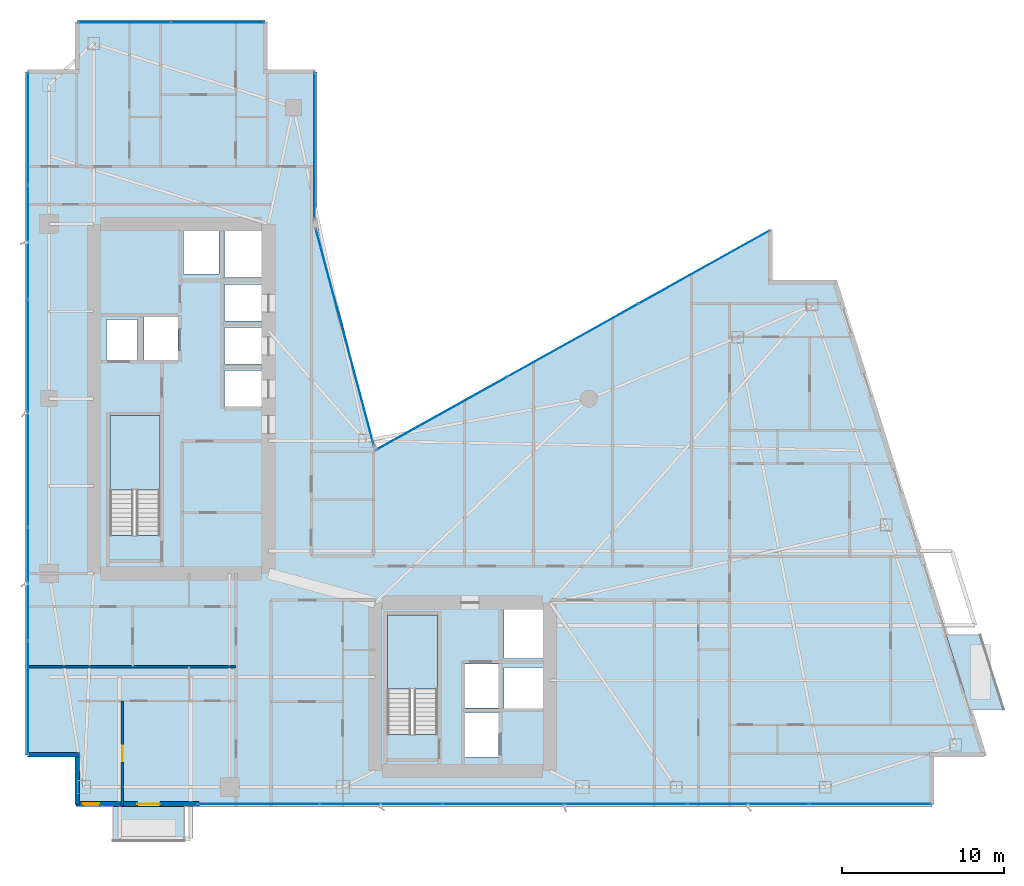
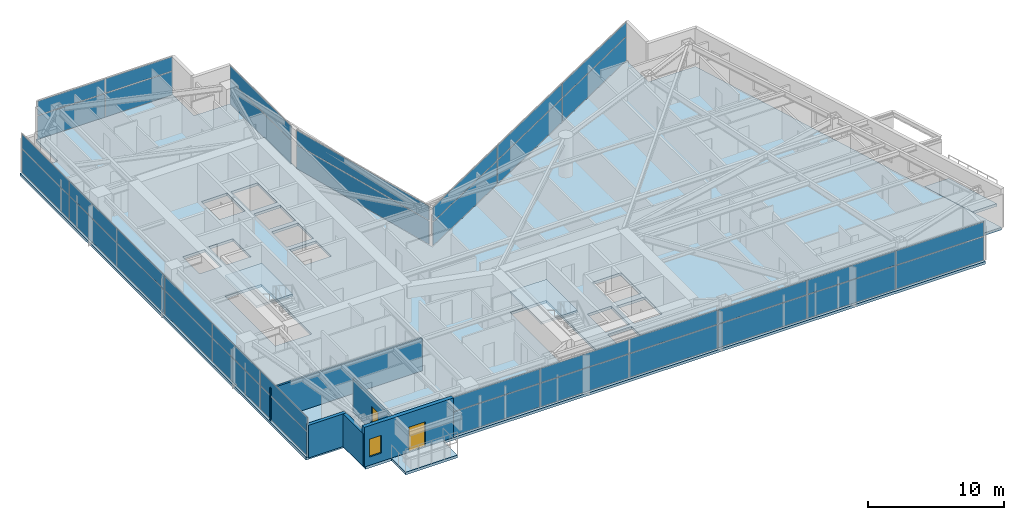
# One storey, part 21 of 29: 38 plates, 5 slabs, 5 walls, 2 doors, 1 window, 3 openings, 8 elements without a shape of their own.
"""IFC4 building model written with IfcOpenShell, lengths in metres."""

from ifc_helpers import new_model, si_unit, direction, frame, frame_2d, origin, origin_2d, place, context, subcontext, project, spatial, polyline, rectangle, outline, extrude, material, layer, layer_set, type_object, element, fill, aggregate, save


model = new_model("IFC4")

# Units and contexts
model_context = context("Model", 3, precision=1e-05, world=origin(), true_north=direction((0.0, 1.0)))
body_context = subcontext(model_context, "Body", "Model", "MODEL_VIEW")
ifc_project = project(units=[si_unit("LENGTHUNIT", "METRE"), si_unit("AREAUNIT", "SQUARE_METRE"), si_unit("VOLUMEUNIT", "CUBIC_METRE"), si_unit("PLANEANGLEUNIT", "RADIAN"), si_unit("MASSUNIT", "GRAM", prefix="KILO")], contexts=[model_context])

# Site, building, storey
site_placement = place(None, origin())
site = spatial("IfcSite", under=ifc_project, at=site_placement, CompositionType="ELEMENT")
building_placement = place(site_placement, origin())
building = spatial("IfcBuilding", under=site, at=building_placement, Name="Calvorn Quay Hotel", CompositionType="ELEMENT")
storey_placement = place(building_placement, frame((0.0, 0.0, 148.5)))
storey = spatial("IfcBuildingStorey", under=building, at=storey_placement, Name="L36", CompositionType="ELEMENT", Elevation=148.5)

# Curtain wall, plates
ifc_material_1 = material(Name="Pale Anodised Aluminium and Low-E Glass", Category="aluminium")
ifc_layer_1 = layer(ifc_material_1, 0.219970703125)
ifc_layer_set_1 = layer_set([ifc_layer_1], Name="CW-SYS-Z2")
curtain_wall_type = type_object("IfcCurtainWallType", Name="CW-SYS-Z2", PredefinedType="NOTDEFINED", material=ifc_layer_set_1)
curtain_wall_1_placement = place(storey_placement, origin())
curtain_wall_1 = element("IfcCurtainWall", 1, at=curtain_wall_1_placement, inside=storey, type_object=curtain_wall_type, Name="Tower West Curtain Wall (L36)", PredefinedType="NOTDEFINED")
ifc_material_2 = material(Name="Low-E Laminated Double Glazing", Category="glass")
ifc_layer_2 = layer(ifc_material_2, 0.028076171875)
ifc_layer_set_2 = layer_set([ifc_layer_2], Name="CW-SYS-Z2-PAN")
plate_type = type_object("IfcPlateType", Name="CW-SYS-Z2-PAN", PredefinedType="CURTAIN_PANEL", material=ifc_layer_set_2)
plate_1_placement = place(storey_placement, frame((0.14990234375, 9.131591796875, 0.06005859375), z_axis=(0.0, 0.0, 1.0), x_axis=(0.0, 1.0, 0.0)))
plate_1 = element("IfcPlate", 2, at=plate_1_placement, type_object=plate_type, Name="CW-L36-W panel 1.1", PredefinedType="CURTAIN_PANEL", context=body_context, shape_type="SweptSolid", body=[
    extrude(rectangle(XDim=6.943359375, YDim=0.028076171875, at=origin_2d()), origin(), (0.0, 0.0, 1.0), 2.110107421875),
])
plate_2_placement = place(storey_placement, frame((0.14990234375, 9.131591796875, 2.22998046875), z_axis=(0.0, 0.0, 1.0), x_axis=(0.0, 1.0, 0.0)))
plate_2 = element("IfcPlate", 3, at=plate_2_placement, type_object=plate_type, Name="CW-L36-W panel 1.2", PredefinedType="CURTAIN_PANEL", context=body_context, shape_type="SweptSolid", body=[
    extrude(rectangle(XDim=6.943359375, YDim=0.028076171875, at=origin_2d()), origin(), (0.0, 0.0, 1.0), 1.27001953125),
])
plate_3_placement = place(storey_placement, frame((0.14990234375, 16.14990234375, 0.06005859375), z_axis=(0.0, 0.0, 1.0), x_axis=(0.0, 1.0, 0.0)))
plate_3 = element("IfcPlate", 4, at=plate_3_placement, type_object=plate_type, Name="CW-L36-W panel 2.1", PredefinedType="CURTAIN_PANEL", context=body_context, shape_type="SweptSolid", body=[
    extrude(rectangle(XDim=6.973388671875, YDim=0.028076171875, at=origin_2d()), origin(), (0.0, 0.0, 1.0), 2.110107421875),
])
plate_4_placement = place(storey_placement, frame((0.14990234375, 16.14990234375, 2.22998046875), z_axis=(0.0, 0.0, 1.0), x_axis=(0.0, 1.0, 0.0)))
plate_4 = element("IfcPlate", 5, at=plate_4_placement, type_object=plate_type, Name="CW-L36-W panel 2.2", PredefinedType="CURTAIN_PANEL", context=body_context, shape_type="SweptSolid", body=[
    extrude(rectangle(XDim=6.973388671875, YDim=0.028076171875, at=origin_2d()), origin(), (0.0, 0.0, 1.0), 1.27001953125),
])
plate_5_placement = place(storey_placement, frame((0.14990234375, 23.183349609375, 0.06005859375), z_axis=(0.0, 0.0, 1.0), x_axis=(0.0, 1.0, 0.0)))
plate_5 = element("IfcPlate", 6, at=plate_5_placement, type_object=plate_type, Name="CW-L36-W panel 3.1", PredefinedType="CURTAIN_PANEL", context=body_context, shape_type="SweptSolid", body=[
    extrude(rectangle(XDim=6.973388671875, YDim=0.028076171875, at=origin_2d()), origin(), (0.0, 0.0, 1.0), 2.110107421875),
])
plate_6_placement = place(storey_placement, frame((0.14990234375, 23.183349609375, 2.22998046875), z_axis=(0.0, 0.0, 1.0), x_axis=(0.0, 1.0, 0.0)))
plate_6 = element("IfcPlate", 7, at=plate_6_placement, type_object=plate_type, Name="CW-L36-W panel 3.2", PredefinedType="CURTAIN_PANEL", context=body_context, shape_type="SweptSolid", body=[
    extrude(rectangle(XDim=6.973388671875, YDim=0.028076171875, at=origin_2d()), origin(), (0.0, 0.0, 1.0), 1.27001953125),
])
plate_7_placement = place(storey_placement, frame((0.14990234375, 30.216552734375, 0.06005859375), z_axis=(0.0, 0.0, 1.0), x_axis=(0.0, 1.0, 0.0)))
plate_7 = element("IfcPlate", 8, at=plate_7_placement, type_object=plate_type, Name="CW-L36-W panel 4.1", PredefinedType="CURTAIN_PANEL", context=body_context, shape_type="SweptSolid", body=[
    extrude(rectangle(XDim=6.973388671875, YDim=0.028076171875, at=origin_2d()), origin(), (0.0, 0.0, 1.0), 2.110107421875),
])
plate_8_placement = place(storey_placement, frame((0.14990234375, 30.216552734375, 2.22998046875), z_axis=(0.0, 0.0, 1.0), x_axis=(0.0, 1.0, 0.0)))
plate_8 = element("IfcPlate", 9, at=plate_8_placement, type_object=plate_type, Name="CW-L36-W panel 4.2", PredefinedType="CURTAIN_PANEL", context=body_context, shape_type="SweptSolid", body=[
    extrude(rectangle(XDim=6.973388671875, YDim=0.028076171875, at=origin_2d()), origin(), (0.0, 0.0, 1.0), 1.27001953125),
])
plate_9_placement = place(storey_placement, frame((0.14990234375, 37.25, 0.06005859375), z_axis=(0.0, 0.0, 1.0), x_axis=(0.0, 1.0, 0.0)))
plate_9 = element("IfcPlate", 10, at=plate_9_placement, type_object=plate_type, Name="CW-L36-W panel 5.1", PredefinedType="CURTAIN_PANEL", context=body_context, shape_type="SweptSolid", body=[
    extrude(rectangle(XDim=6.973388671875, YDim=0.028076171875, at=origin_2d()), origin(), (0.0, 0.0, 1.0), 2.110107421875),
])
plate_10_placement = place(storey_placement, frame((0.14990234375, 37.25, 2.22998046875), z_axis=(0.0, 0.0, 1.0), x_axis=(0.0, 1.0, 0.0)))
plate_10 = element("IfcPlate", 11, at=plate_10_placement, type_object=plate_type, Name="CW-L36-W panel 5.2", PredefinedType="CURTAIN_PANEL", context=body_context, shape_type="SweptSolid", body=[
    extrude(rectangle(XDim=6.973388671875, YDim=0.028076171875, at=origin_2d()), origin(), (0.0, 0.0, 1.0), 1.27001953125),
])
plate_11_placement = place(storey_placement, frame((0.14990234375, 44.268310546875, 0.06005859375), z_axis=(0.0, 0.0, 1.0), x_axis=(0.0, 1.0, 0.0)))
plate_11 = element("IfcPlate", 12, at=plate_11_placement, type_object=plate_type, Name="CW-L36-W panel 6.1", PredefinedType="CURTAIN_PANEL", context=body_context, shape_type="SweptSolid", body=[
    extrude(rectangle(XDim=6.943359375, YDim=0.028076171875, at=origin_2d()), origin(), (0.0, 0.0, 1.0), 2.110107421875),
])
plate_12_placement = place(storey_placement, frame((0.14990234375, 44.268310546875, 2.22998046875), z_axis=(0.0, 0.0, 1.0), x_axis=(0.0, 1.0, 0.0)))
plate_12 = element("IfcPlate", 13, at=plate_12_placement, type_object=plate_type, Name="CW-L36-W panel 6.2", PredefinedType="CURTAIN_PANEL", context=body_context, shape_type="SweptSolid", body=[
    extrude(rectangle(XDim=6.943359375, YDim=0.028076171875, at=origin_2d()), origin(), (0.0, 0.0, 1.0), 1.27001953125),
])
aggregate(curtain_wall_1, [plate_1, plate_2, plate_3, plate_4, plate_5, plate_6, plate_7, plate_8, plate_9, plate_10, plate_11, plate_12])

curtain_wall_2_placement = place(storey_placement, origin())
curtain_wall_2 = element("IfcCurtainWall", 14, at=curtain_wall_2_placement, inside=storey, type_object=curtain_wall_type, Name="Tower South Waterfront Curtain Wall (L36)", PredefinedType="NOTDEFINED")
plate_13_placement = place(storey_placement, frame((14.3984375, 2.550048828125, 0.06005859375), z_axis=(0.0, 0.0, 1.0), x_axis=(1.0, 0.0, 0.0)))
plate_13 = element("IfcPlate", 15, at=plate_13_placement, type_object=plate_type, Name="CW-L36-S panel 1.1", PredefinedType="CURTAIN_PANEL", context=body_context, shape_type="SweptSolid", body=[
    extrude(rectangle(XDim=7.4765625, YDim=0.028076171875, at=origin_2d()), origin(), (0.0, 0.0, 1.0), 2.110107421875),
])
plate_14_placement = place(storey_placement, frame((14.3984375, 2.550048828125, 2.22998046875), z_axis=(0.0, 0.0, 1.0), x_axis=(1.0, 0.0, 0.0)))
plate_14 = element("IfcPlate", 16, at=plate_14_placement, type_object=plate_type, Name="CW-L36-S panel 1.2", PredefinedType="CURTAIN_PANEL", context=body_context, shape_type="SweptSolid", body=[
    extrude(rectangle(XDim=7.4765625, YDim=0.028076171875, at=origin_2d()), origin(), (0.0, 0.0, 1.0), 1.27001953125),
])
plate_15_placement = place(storey_placement, frame((21.949951171875, 2.550048828125, 0.06005859375), z_axis=(0.0, 0.0, 1.0), x_axis=(1.0, 0.0, 0.0)))
plate_15 = element("IfcPlate", 17, at=plate_15_placement, type_object=plate_type, Name="CW-L36-S panel 2.1", PredefinedType="CURTAIN_PANEL", context=body_context, shape_type="SweptSolid", body=[
    extrude(rectangle(XDim=7.506591796875, YDim=0.028076171875, at=origin_2d()), origin(), (0.0, 0.0, 1.0), 2.110107421875),
])
plate_16_placement = place(storey_placement, frame((21.949951171875, 2.550048828125, 2.22998046875), z_axis=(0.0, 0.0, 1.0), x_axis=(1.0, 0.0, 0.0)))
plate_16 = element("IfcPlate", 18, at=plate_16_placement, type_object=plate_type, Name="CW-L36-S panel 2.2", PredefinedType="CURTAIN_PANEL", context=body_context, shape_type="SweptSolid", body=[
    extrude(rectangle(XDim=7.506591796875, YDim=0.028076171875, at=origin_2d()), origin(), (0.0, 0.0, 1.0), 1.27001953125),
])
plate_17_placement = place(storey_placement, frame((29.5166015625, 2.550048828125, 0.06005859375), z_axis=(0.0, 0.0, 1.0), x_axis=(1.0, 0.0, 0.0)))
plate_17 = element("IfcPlate", 19, at=plate_17_placement, type_object=plate_type, Name="CW-L36-S panel 3.1", PredefinedType="CURTAIN_PANEL", context=body_context, shape_type="SweptSolid", body=[
    extrude(rectangle(XDim=7.506591796875, YDim=0.028076171875, at=origin_2d()), origin(), (0.0, 0.0, 1.0), 2.110107421875),
])
plate_18_placement = place(storey_placement, frame((29.5166015625, 2.550048828125, 2.22998046875), z_axis=(0.0, 0.0, 1.0), x_axis=(1.0, 0.0, 0.0)))
plate_18 = element("IfcPlate", 20, at=plate_18_placement, type_object=plate_type, Name="CW-L36-S panel 3.2", PredefinedType="CURTAIN_PANEL", context=body_context, shape_type="SweptSolid", body=[
    extrude(rectangle(XDim=7.506591796875, YDim=0.028076171875, at=origin_2d()), origin(), (0.0, 0.0, 1.0), 1.27001953125),
])
plate_19_placement = place(storey_placement, frame((37.083251953125, 2.550048828125, 0.06005859375), z_axis=(0.0, 0.0, 1.0), x_axis=(1.0, 0.0, 0.0)))
plate_19 = element("IfcPlate", 21, at=plate_19_placement, type_object=plate_type, Name="CW-L36-S panel 4.1", PredefinedType="CURTAIN_PANEL", context=body_context, shape_type="SweptSolid", body=[
    extrude(rectangle(XDim=7.506591796875, YDim=0.028076171875, at=origin_2d()), origin(), (0.0, 0.0, 1.0), 2.110107421875),
])
plate_20_placement = place(storey_placement, frame((37.083251953125, 2.550048828125, 2.22998046875), z_axis=(0.0, 0.0, 1.0), x_axis=(1.0, 0.0, 0.0)))
plate_20 = element("IfcPlate", 22, at=plate_20_placement, type_object=plate_type, Name="CW-L36-S panel 4.2", PredefinedType="CURTAIN_PANEL", context=body_context, shape_type="SweptSolid", body=[
    extrude(rectangle(XDim=7.506591796875, YDim=0.028076171875, at=origin_2d()), origin(), (0.0, 0.0, 1.0), 1.27001953125),
])
plate_21_placement = place(storey_placement, frame((44.64990234375, 2.550048828125, 0.06005859375), z_axis=(0.0, 0.0, 1.0), x_axis=(1.0, 0.0, 0.0)))
plate_21 = element("IfcPlate", 23, at=plate_21_placement, type_object=plate_type, Name="CW-L36-S panel 5.1", PredefinedType="CURTAIN_PANEL", context=body_context, shape_type="SweptSolid", body=[
    extrude(rectangle(XDim=7.506591796875, YDim=0.028076171875, at=origin_2d()), origin(), (0.0, 0.0, 1.0), 2.110107421875),
])
plate_22_placement = place(storey_placement, frame((44.64990234375, 2.550048828125, 2.22998046875), z_axis=(0.0, 0.0, 1.0), x_axis=(1.0, 0.0, 0.0)))
plate_22 = element("IfcPlate", 24, at=plate_22_placement, type_object=plate_type, Name="CW-L36-S panel 5.2", PredefinedType="CURTAIN_PANEL", context=body_context, shape_type="SweptSolid", body=[
    extrude(rectangle(XDim=7.506591796875, YDim=0.028076171875, at=origin_2d()), origin(), (0.0, 0.0, 1.0), 1.27001953125),
])
plate_23_placement = place(storey_placement, frame((52.20166015625, 2.550048828125, 0.06005859375), z_axis=(0.0, 0.0, 1.0), x_axis=(1.0, 0.0, 0.0)))
plate_23 = element("IfcPlate", 25, at=plate_23_placement, type_object=plate_type, Name="CW-L36-S panel 6.1", PredefinedType="CURTAIN_PANEL", context=body_context, shape_type="SweptSolid", body=[
    extrude(rectangle(XDim=7.4765625, YDim=0.028076171875, at=origin_2d()), origin(), (0.0, 0.0, 1.0), 2.110107421875),
])
plate_24_placement = place(storey_placement, frame((52.20166015625, 2.550048828125, 2.22998046875), z_axis=(0.0, 0.0, 1.0), x_axis=(1.0, 0.0, 0.0)))
plate_24 = element("IfcPlate", 26, at=plate_24_placement, type_object=plate_type, Name="CW-L36-S panel 6.2", PredefinedType="CURTAIN_PANEL", context=body_context, shape_type="SweptSolid", body=[
    extrude(rectangle(XDim=7.4765625, YDim=0.028076171875, at=origin_2d()), origin(), (0.0, 0.0, 1.0), 1.27001953125),
])
aggregate(curtain_wall_2, [plate_13, plate_14, plate_15, plate_16, plate_17, plate_18, plate_19, plate_20, plate_21, plate_22, plate_23, plate_24])

curtain_wall_3_placement = place(storey_placement, origin())
curtain_wall_3 = element("IfcCurtainWall", 27, at=curtain_wall_3_placement, inside=storey, type_object=curtain_wall_type, Name="Inner Court Curtain Wall L36-NE1", PredefinedType="NOTDEFINED")
plate_25_placement = place(storey_placement, frame((41.920166015625, 35.72607421875, 0.06005859375), z_axis=(0.0, 0.0, 1.0), x_axis=(-0.873480989116, -0.486858256224, 0.0)))
plate_25 = element("IfcPlate", 28, at=plate_25_placement, type_object=plate_type, Name="CW-L36-NE1 panel 1.1", PredefinedType="CURTAIN_PANEL", context=body_context, shape_type="SweptSolid", body=[
    extrude(rectangle(XDim=9.221435546875, YDim=0.028076171875, at=origin_2d()), origin(), (0.0, 0.0, 1.0), 2.110107421875),
])
plate_26_placement = place(storey_placement, frame((41.920166015625, 35.72607421875, 2.22998046875), z_axis=(0.0, 0.0, 1.0), x_axis=(-0.873480989116, -0.486858256224, 0.0)))
plate_26 = element("IfcPlate", 29, at=plate_26_placement, type_object=plate_type, Name="CW-L36-NE1 panel 1.2", PredefinedType="CURTAIN_PANEL", context=body_context, shape_type="SweptSolid", body=[
    extrude(rectangle(XDim=9.221435546875, YDim=0.028076171875, at=origin_2d()), origin(), (0.0, 0.0, 1.0), 1.27001953125),
])
plate_27_placement = place(storey_placement, frame((33.800048828125, 31.199951171875, 0.06005859375), z_axis=(0.0, 0.0, 1.0), x_axis=(-0.873480989116, -0.486858256224, 0.0)))
plate_27 = element("IfcPlate", 30, at=plate_27_placement, type_object=plate_type, Name="CW-L36-NE1 panel 2.1", PredefinedType="CURTAIN_PANEL", context=body_context, shape_type="SweptSolid", body=[
    extrude(rectangle(XDim=9.25146484375, YDim=0.028076171875, at=origin_2d()), origin(), (0.0, 0.0, 1.0), 2.110107421875),
])
plate_28_placement = place(storey_placement, frame((33.800048828125, 31.199951171875, 2.22998046875), z_axis=(0.0, 0.0, 1.0), x_axis=(-0.873480989116, -0.486858256224, 0.0)))
plate_28 = element("IfcPlate", 31, at=plate_28_placement, type_object=plate_type, Name="CW-L36-NE1 panel 2.2", PredefinedType="CURTAIN_PANEL", context=body_context, shape_type="SweptSolid", body=[
    extrude(rectangle(XDim=9.25146484375, YDim=0.028076171875, at=origin_2d()), origin(), (0.0, 0.0, 1.0), 1.27001953125),
])
plate_29_placement = place(storey_placement, frame((25.6796875, 26.674072265625, 0.06005859375), z_axis=(0.0, 0.0, 1.0), x_axis=(-0.873480989116, -0.486858256224, 0.0)))
plate_29 = element("IfcPlate", 32, at=plate_29_placement, type_object=plate_type, Name="CW-L36-NE1 panel 3.1", PredefinedType="CURTAIN_PANEL", context=body_context, shape_type="SweptSolid", body=[
    extrude(rectangle(XDim=9.221435546875, YDim=0.028076171875, at=origin_2d()), origin(), (0.0, 0.0, 1.0), 2.110107421875),
])
plate_30_placement = place(storey_placement, frame((25.6796875, 26.674072265625, 2.22998046875), z_axis=(0.0, 0.0, 1.0), x_axis=(-0.873480989116, -0.486858256224, 0.0)))
plate_30 = element("IfcPlate", 33, at=plate_30_placement, type_object=plate_type, Name="CW-L36-NE1 panel 3.2", PredefinedType="CURTAIN_PANEL", context=body_context, shape_type="SweptSolid", body=[
    extrude(rectangle(XDim=9.221435546875, YDim=0.028076171875, at=origin_2d()), origin(), (0.0, 0.0, 1.0), 1.27001953125),
])
aggregate(curtain_wall_3, [plate_25, plate_26, plate_27, plate_28, plate_29, plate_30])

curtain_wall_4_placement = place(storey_placement, origin())
curtain_wall_4 = element("IfcCurtainWall", 34, at=curtain_wall_4_placement, inside=storey, type_object=curtain_wall_type, Name="Inner Court Curtain Wall L36-IC1", PredefinedType="NOTDEFINED")
plate_31_placement = place(storey_placement, frame((19.72509765625, 31.39990234375, 0.06005859375), z_axis=(0.0, 0.0, 1.0), x_axis=(-0.25877913024, 0.96593652056, 0.0)))
plate_31 = element("IfcPlate", 35, at=plate_31_placement, type_object=plate_type, Name="CW-L36-IC1 panel 1.1", PredefinedType="CURTAIN_PANEL", context=body_context, shape_type="SweptSolid", body=[
    extrude(rectangle(XDim=13.814697265625, YDim=0.028076171875, at=origin_2d()), origin(), (0.0, 0.0, 1.0), 2.110107421875),
])
plate_32_placement = place(storey_placement, frame((19.72509765625, 31.39990234375, 2.22998046875), z_axis=(0.0, 0.0, 1.0), x_axis=(-0.25877913024, 0.96593652056, 0.0)))
plate_32 = element("IfcPlate", 36, at=plate_32_placement, type_object=plate_type, Name="CW-L36-IC1 panel 1.2", PredefinedType="CURTAIN_PANEL", context=body_context, shape_type="SweptSolid", body=[
    extrude(rectangle(XDim=13.814697265625, YDim=0.028076171875, at=origin_2d()), origin(), (0.0, 0.0, 1.0), 1.27001953125),
])
aggregate(curtain_wall_4, [plate_31, plate_32])

curtain_wall_5_placement = place(storey_placement, origin())
curtain_wall_5 = element("IfcCurtainWall", 37, at=curtain_wall_5_placement, inside=storey, type_object=curtain_wall_type, Name="Inner Court Curtain Wall L36-IC2", PredefinedType="NOTDEFINED")
plate_33_placement = place(storey_placement, frame((17.85009765625, 43.239990234375, 0.06005859375), z_axis=(0.0, 0.0, 1.0), x_axis=(0.0, 1.0, 0.0)))
plate_33 = element("IfcPlate", 38, at=plate_33_placement, type_object=plate_type, Name="CW-L36-IC2 panel 1.1", PredefinedType="CURTAIN_PANEL", context=body_context, shape_type="SweptSolid", body=[
    extrude(rectangle(XDim=9.0, YDim=0.028076171875, at=origin_2d()), origin(), (0.0, 0.0, 1.0), 2.110107421875),
])
plate_34_placement = place(storey_placement, frame((17.85009765625, 43.239990234375, 2.22998046875), z_axis=(0.0, 0.0, 1.0), x_axis=(0.0, 1.0, 0.0)))
plate_34 = element("IfcPlate", 39, at=plate_34_placement, type_object=plate_type, Name="CW-L36-IC2 panel 1.2", PredefinedType="CURTAIN_PANEL", context=body_context, shape_type="SweptSolid", body=[
    extrude(rectangle(XDim=9.0, YDim=0.028076171875, at=origin_2d()), origin(), (0.0, 0.0, 1.0), 1.27001953125),
])
aggregate(curtain_wall_5, [plate_33, plate_34])

curtain_wall_6_placement = place(storey_placement, origin())
curtain_wall_6 = element("IfcCurtainWall", 40, at=curtain_wall_6_placement, inside=storey, type_object=curtain_wall_type, Name="Inner Court Curtain Wall L36-N1", PredefinedType="NOTDEFINED")
plate_35_placement = place(storey_placement, frame((11.885009765625, 50.85009765625, 0.06005859375), z_axis=(0.0, 0.0, 1.0), x_axis=(-1.0, 0.0, 0.0)))
plate_35 = element("IfcPlate", 41, at=plate_35_placement, type_object=plate_type, Name="CW-L36-N1 panel 1.1", PredefinedType="CURTAIN_PANEL", context=body_context, shape_type="SweptSolid", body=[
    extrude(rectangle(XDim=5.7099609375, YDim=0.028076171875, at=origin_2d()), origin(), (0.0, 0.0, 1.0), 2.110107421875),
])
plate_36_placement = place(storey_placement, frame((11.885009765625, 50.85009765625, 2.22998046875), z_axis=(0.0, 0.0, 1.0), x_axis=(-1.0, 0.0, 0.0)))
plate_36 = element("IfcPlate", 42, at=plate_36_placement, type_object=plate_type, Name="CW-L36-N1 panel 1.2", PredefinedType="CURTAIN_PANEL", context=body_context, shape_type="SweptSolid", body=[
    extrude(rectangle(XDim=5.7099609375, YDim=0.028076171875, at=origin_2d()), origin(), (0.0, 0.0, 1.0), 1.27001953125),
])
plate_37_placement = place(storey_placement, frame((6.114990234375, 50.85009765625, 0.06005859375), z_axis=(0.0, 0.0, 1.0), x_axis=(-1.0, 0.0, 0.0)))
plate_37 = element("IfcPlate", 43, at=plate_37_placement, type_object=plate_type, Name="CW-L36-N1 panel 2.1", PredefinedType="CURTAIN_PANEL", context=body_context, shape_type="SweptSolid", body=[
    extrude(rectangle(XDim=5.7099609375, YDim=0.028076171875, at=origin_2d()), origin(), (0.0, 0.0, 1.0), 2.110107421875),
])
plate_38_placement = place(storey_placement, frame((6.114990234375, 50.85009765625, 2.22998046875), z_axis=(0.0, 0.0, 1.0), x_axis=(-1.0, 0.0, 0.0)))
plate_38 = element("IfcPlate", 44, at=plate_38_placement, type_object=plate_type, Name="CW-L36-N1 panel 2.2", PredefinedType="CURTAIN_PANEL", context=body_context, shape_type="SweptSolid", body=[
    extrude(rectangle(XDim=5.7099609375, YDim=0.028076171875, at=origin_2d()), origin(), (0.0, 0.0, 1.0), 1.27001953125),
])
aggregate(curtain_wall_6, [plate_35, plate_36, plate_37, plate_38])

# Slabs
ifc_material_3 = material(Name="Concrete C40", Category="concrete")
ifc_layer_3 = layer(ifc_material_3, 0.239990234375)
ifc_layer_set_3 = layer_set([ifc_layer_3], Name="SLB-BALCONY-220")
slab_type_1 = type_object("IfcSlabType", Name="SLB-BALCONY-220", PredefinedType="FLOOR", material=ifc_layer_set_3)
slab_1_placement = place(storey_placement, frame((0.0, 0.0, -0.239990234375)))
element("IfcSlab", 45, at=slab_1_placement, inside=storey, type_object=slab_type_1, Name="Tree Balcony Slab L36-BALC-E", PredefinedType="FLOOR", context=body_context, shape_type="SweptSolid", body=[
    extrude(outline(polyline([(58.327880859375, 8.39990234375), (60.427978515625, 8.39990234375), (58.97802734375, 13.0), (56.8779296875, 13.0), (58.327880859375, 8.39990234375)])), origin(), (0.0, 0.0, 1.0), 0.239990234375),
])
slab_2_placement = place(storey_placement, frame((0.0, 0.0, -0.239990234375)))
element("IfcSlab", 46, at=slab_2_placement, inside=storey, type_object=slab_type_1, Name="Tree Balcony Slab L36-BALC-S", PredefinedType="FLOOR", context=body_context, shape_type="SweptSolid", body=[
    extrude(outline(polyline([(5.39990234375, 0.2900390625), (9.800048828125, 0.2900390625), (9.800048828125, 2.389892578125), (5.39990234375, 2.389892578125), (5.39990234375, 0.2900390625)])), origin(), (0.0, 0.0, 1.0), 0.239990234375),
])

# Stair, slab
ifc_material_4 = material(Name="Concrete C40", Category="concrete")
stair_type = type_object("IfcStairType", Name="STR-CORE-DOGLEG", PredefinedType="HALF_TURN_STAIR", material=ifc_material_4)
stair_1_placement = place(storey_placement, origin())
stair_1 = element("IfcStair", 47, at=stair_1_placement, inside=storey, type_object=stair_type, Name="L36 ST-W", PredefinedType="HALF_TURN_STAIR")
ifc_material_5 = material(Name="Concrete C40", Category="concrete")
ifc_layer_4 = layer(ifc_material_5, 0.199951171875)
ifc_layer_set_4 = layer_set([ifc_layer_4], Name="SLB-STAIR-LANDING-200")
slab_type_2 = type_object("IfcSlabType", Name="SLB-STAIR-LANDING-200", PredefinedType="LANDING", material=ifc_layer_set_4)
slab_3_placement = place(storey_placement, frame((0.0, 0.0, 1.699951171875)))
slab_3 = element("IfcSlab", 48, at=slab_3_placement, type_object=slab_type_2, Name="ST-W landing 1", PredefinedType="LANDING", context=body_context, shape_type="SweptSolid", body=[
    extrude(outline(polyline([(8.300048828125, 21.949951171875), (8.300048828125, 26.550048828125), (5.199951171875, 26.550048828125), (5.199951171875, 21.949951171875), (8.300048828125, 21.949951171875)])), origin(), (0.0, 0.0, 1.0), 0.199951171875),
])
aggregate(stair_1, [slab_3])

stair_2_placement = place(storey_placement, origin())
stair_2 = element("IfcStair", 49, at=stair_2_placement, inside=storey, type_object=stair_type, Name="L36 ST-E", PredefinedType="HALF_TURN_STAIR")
slab_4_placement = place(storey_placement, frame((0.0, 0.0, 1.699951171875)))
slab_4 = element("IfcSlab", 50, at=slab_4_placement, type_object=slab_type_2, Name="ST-E landing 1", PredefinedType="LANDING", context=body_context, shape_type="SweptSolid", body=[
    extrude(outline(polyline([(25.449951171875, 9.64990234375), (25.449951171875, 14.25), (22.35009765625, 14.25), (22.35009765625, 9.64990234375), (25.449951171875, 9.64990234375)])), origin(), (0.0, 0.0, 1.0), 0.199951171875),
])
aggregate(stair_2, [slab_4])

# Slab
ifc_material_6 = material(Name="Concrete C40", Category="concrete")
ifc_layer_5 = layer(ifc_material_6, 0.239990234375)
ifc_layer_set_5 = layer_set([ifc_layer_5], Name="SLB-TOWER-240")
slab_type_3 = type_object("IfcSlabType", Name="SLB-TOWER-240", PredefinedType="FLOOR", material=ifc_layer_set_5)
slab_5_placement = place(storey_placement, frame((0.0, 0.0, -0.239990234375)))
element("IfcSlab", 51, at=slab_5_placement, inside=storey, type_object=slab_type_3, Name="L36 Structural Floor Slab", PredefinedType="FLOOR", context=body_context, shape_type="SweptSolid", body=[
    extrude(outline(polyline([(0.0, 5.60009765625), (3.199951171875, 5.60009765625), (3.199951171875, 2.39990234375), (56.0, 2.39990234375), (56.0, 5.60009765625), (59.199951171875, 5.60009765625), (50.0, 34.800048828125), (46.0, 34.800048828125), (46.0, 38.0), (21.60009765625, 24.39990234375), (18.0, 38.39990234375), (18.0, 47.800048828125), (14.800048828125, 47.800048828125), (14.800048828125, 51.0), (3.199951171875, 51.0), (3.199951171875, 47.800048828125), (0.0, 47.800048828125), (0.0, 5.60009765625)]), holes=[polyline([(5.199951171875, 19.156005859375), (8.300048828125, 19.156005859375), (8.300048828125, 26.550048828125), (5.199951171875, 26.550048828125), (5.199951171875, 19.156005859375)]), polyline([(22.35009765625, 6.85595703125), (25.449951171875, 6.85595703125), (25.449951171875, 14.25), (22.35009765625, 14.25), (22.35009765625, 6.85595703125)]), polyline([(5.0, 30.0), (6.89990234375, 30.0), (6.89990234375, 32.5), (5.0, 32.5), (5.0, 30.0)]), polyline([(7.300048828125, 30.0), (9.39990234375, 30.0), (9.39990234375, 32.64990234375), (7.300048828125, 32.64990234375), (7.300048828125, 30.0)]), polyline([(27.159912109375, 8.5), (29.2099609375, 8.5), (29.2099609375, 11.199951171875), (27.159912109375, 11.199951171875), (27.159912109375, 8.5)]), polyline([(27.159912109375, 5.449951171875), (29.2099609375, 5.449951171875), (29.2099609375, 8.199951171875), (27.159912109375, 8.199951171875), (27.159912109375, 5.449951171875)]), polyline([(12.300048828125, 27.10009765625), (14.56494140625, 27.10009765625), (14.56494140625, 29.35009765625), (12.300048828125, 29.35009765625), (12.300048828125, 27.10009765625)]), polyline([(12.300048828125, 29.75), (14.56494140625, 29.75), (14.56494140625, 32.0), (12.300048828125, 32.0), (12.300048828125, 29.75)]), polyline([(12.300048828125, 32.39990234375), (14.56494140625, 32.39990234375), (14.56494140625, 34.64990234375), (12.300048828125, 34.64990234375), (12.300048828125, 32.39990234375)]), polyline([(12.300048828125, 35.10009765625), (14.56494140625, 35.10009765625), (14.56494140625, 37.965087890625), (12.300048828125, 37.965087890625), (12.300048828125, 35.10009765625)]), polyline([(9.75, 35.300048828125), (11.949951171875, 35.300048828125), (11.949951171875, 37.965087890625), (9.75, 37.965087890625), (9.75, 35.300048828125)]), polyline([(29.550048828125, 11.550048828125), (31.965087890625, 11.550048828125), (31.965087890625, 14.56494140625), (29.550048828125, 14.56494140625), (29.550048828125, 11.550048828125)]), polyline([(29.550048828125, 8.449951171875), (31.965087890625, 8.449951171875), (31.965087890625, 11.0), (29.550048828125, 11.0), (29.550048828125, 8.449951171875)])]), origin(), (0.0, 0.0, 1.0), 0.239990234375),
])

# Wall, openings, door, window
ifc_material_7 = material(Name="Concrete C40", Category="concrete")
ifc_layer_6 = layer(ifc_material_7, 0.320068359375)
ifc_layer_set_6 = layer_set([ifc_layer_6], Name="WL-EXT-SPANDREL-320")
wall_type_1 = type_object("IfcWallType", Name="WL-EXT-SPANDREL-320", PredefinedType="SOLIDWALL", material=ifc_layer_set_6)
wall_1_placement = place(storey_placement, frame((3.10009765625, 2.56005859375, 0.0), z_axis=(0.0, 0.0, 1.0), x_axis=(1.0, 0.0, 0.0)))
wall_1 = element("IfcWall", 52, at=wall_1_placement, inside=storey, type_object=wall_type_1, Name="South Balcony Exterior Wall (L36)", PredefinedType="SOLIDWALL", context=body_context, shape_type="SweptSolid", body=[
    extrude(rectangle(XDim=7.599853515625, YDim=0.320068359375, at=frame_2d((3.7998046875, 0.0))), origin(), (0.0, 0.0, 1.0), 3.56005859375),
])
opening_1_placement = place(wall_1_placement, frame((0.449951171875, 0.0, 0.75)))
opening_1 = element("IfcOpeningElement", 53, at=opening_1_placement, cuts=wall_1, Name="Opening WSB-L36-1", PredefinedType="OPENING", context=body_context, shape_type="SweptSolid", body=[
    extrude(rectangle(XDim=1.0, YDim=1.60009765625, at=frame_2d((0.5, 0.800048828125))), frame((0.0, 0.169921875, 0.0), z_axis=(0.0, -1.0, 0.0), x_axis=(1.0, 0.0, 0.0)), (0.0, 0.0, 1.0), 0.340087890625),
])
opening_2_placement = place(wall_1_placement, frame((3.800048828125, 0.0, 0.0)))
opening_2 = element("IfcOpeningElement", 54, at=opening_2_placement, cuts=wall_1, Name="Opening DB-L36-2", PredefinedType="OPENING", context=body_context, shape_type="SweptSolid", body=[
    extrude(rectangle(XDim=1.39990234375, YDim=2.25, at=frame_2d((0.699951171875, 1.125))), frame((0.0, 0.169921875, 0.0), z_axis=(0.0, -1.0, 0.0), x_axis=(1.0, 0.0, 0.0)), (0.0, 0.0, 1.0), 0.340087890625),
])
ifc_material_8 = material(Name="Typhoon-Rated Low-E Aluminium Terrace Door", Category="aluminium")
door_type_1 = type_object("IfcDoorType", Name="DR-BALCONY-GLZ-1400", OperationType="NOTDEFINED", PredefinedType="DOOR", material=ifc_material_8)
door_1_placement = place(opening_2_placement, origin())
door_1 = element("IfcDoor", 55, at=door_1_placement, inside=storey, type_object=door_type_1, Name="Tree Balcony Terrace Door L36-BALC-S", OperationType="SINGLE_SWING_LEFT", OverallHeight=2.25, OverallWidth=1.39990234375, PredefinedType="DOOR", context=body_context, shape_type="SweptSolid", body=[
    extrude(rectangle(XDim=1.39990234375, YDim=2.25, at=frame_2d((0.699951171875, 1.125))), frame((0.0, 0.02490234375, 0.0), z_axis=(0.0, -1.0, 0.0), x_axis=(1.0, 0.0, 0.0)), (0.0, 0.0, 1.0), 0.050048828125),
])
fill(opening_2, door_1)
ifc_material_9 = material(Name="Self-Closing Class B Side Fire Window")
window_type = type_object("IfcWindowType", Name="WIN-REFUGE-NARROW-1000x1600", PartitioningType="SINGLE_PANEL", PredefinedType="WINDOW", material=ifc_material_9)
window_placement = place(opening_1_placement, origin())
window = element("IfcWindow", 56, at=window_placement, inside=storey, type_object=window_type, Name="South Waterfront Side Window (L36)", OverallHeight=1.60009765625, OverallWidth=1.0, PartitioningType="SINGLE_PANEL", PredefinedType="WINDOW", context=body_context, shape_type="SweptSolid", body=[
    extrude(rectangle(XDim=1.0, YDim=1.60009765625, at=frame_2d((0.5, 0.800048828125))), frame((0.0, 0.030029296875, 0.0), z_axis=(0.0, -1.0, 0.0), x_axis=(1.0, 0.0, 0.0)), (0.0, 0.0, 1.0), 0.06005859375),
])
fill(opening_1, window)

# Walls
wall_2_placement = place(storey_placement, frame((0.1201171875, 5.60009765625, 0.0), z_axis=(0.0, 0.0, 1.0), x_axis=(1.0, 0.0, 0.0)))
element("IfcWall", 57, at=wall_2_placement, inside=storey, type_object=wall_type_1, Name="Notched Corner Spandrel L36-SW1", PredefinedType="SOLIDWALL", context=body_context, shape_type="SweptSolid", body=[
    extrude(rectangle(XDim=3.219970703125, YDim=0.280029296875, at=frame_2d((1.60986328125, 0.0))), origin(), (0.0, 0.0, 1.0), 2.93994140625),
])
wall_3_placement = place(storey_placement, frame((3.199951171875, 5.4599609375, 0.0), z_axis=(0.0, 0.0, 1.0), x_axis=(0.0, -1.0, 0.0)))
element("IfcWall", 58, at=wall_3_placement, inside=storey, type_object=wall_type_1, Name="Notched Corner Spandrel L36-SW2", PredefinedType="SOLIDWALL", context=body_context, shape_type="SweptSolid", body=[
    extrude(rectangle(XDim=2.93994140625, YDim=0.280029296875, at=frame_2d((1.469970703125, 0.0))), origin(), (0.0, 0.0, 1.0), 2.93994140625),
])

# Wall, opening, door
ifc_material_10 = material(Name="Double-Stud Acoustic Gypsum Partition")
ifc_layer_7 = layer(ifc_material_10, 0.159912109375)
ifc_layer_set_7 = layer_set([ifc_layer_7], Name="WL-INTERSUITE-160")
wall_type_2 = type_object("IfcWallType", Name="WL-INTERSUITE-160", PredefinedType="PARTITIONING", material=ifc_layer_set_7)
wall_4_placement = place(storey_placement, frame((5.97998046875, 2.43994140625, 0.0), z_axis=(0.0, 0.0, 1.0), x_axis=(0.0, 1.0, 0.0)))
wall_4 = element("IfcWall", 59, at=wall_4_placement, inside=storey, type_object=wall_type_2, Name="Partition Wall L36-WL-U01-MSP", PredefinedType="PARTITIONING", context=body_context, shape_type="SweptSolid", body=[
    extrude(rectangle(XDim=6.47998046875, YDim=0.159912109375, at=frame_2d((3.239990234375, 0.0))), origin(), (0.0, 0.0, 1.0), 3.0400390625),
])
opening_3_placement = place(wall_4_placement, frame((2.760009765625, 0.0, 0.0)))
opening_3 = element("IfcOpeningElement", 60, at=opening_3_placement, cuts=wall_4, Name="Opening D-L36-M01", PredefinedType="OPENING", context=body_context, shape_type="SweptSolid", body=[
    extrude(rectangle(XDim=0.9599609375, YDim=2.199951171875, at=frame_2d((0.47998046875, 1.10009765625))), frame((0.0, 0.08984375, 0.0), z_axis=(0.0, -1.0, 0.0), x_axis=(1.0, 0.0, 0.0)), (0.0, 0.0, 1.0), 0.179931640625),
])
ifc_material_11 = material(Name="Solid Timber Internal Suite Door", Category="wood")
door_type_2 = type_object("IfcDoorType", Name="DR-SUITE-INT-960", OperationType="NOTDEFINED", PredefinedType="DOOR", material=ifc_material_11)
door_2_placement = place(opening_3_placement, origin())
door_2 = element("IfcDoor", 61, at=door_2_placement, inside=storey, type_object=door_type_2, Name="Suite Bedroom Door 01", OperationType="SINGLE_SWING_LEFT", OverallHeight=2.199951171875, OverallWidth=0.9599609375, PredefinedType="DOOR", context=body_context, shape_type="SweptSolid", body=[
    extrude(rectangle(XDim=0.9599609375, YDim=2.199951171875, at=frame_2d((0.47998046875, 1.10009765625))), frame((0.0, 0.02490234375, 0.0), z_axis=(0.0, -1.0, 0.0), x_axis=(1.0, 0.0, 0.0)), (0.0, 0.0, 1.0), 0.050048828125),
])
fill(opening_3, door_2)

# Wall
wall_5_placement = place(storey_placement, frame((0.080078125, 11.050048828125, 0.0), z_axis=(0.0, 0.0, 1.0), x_axis=(1.0, 0.0, 0.0)))
element("IfcWall", 62, at=wall_5_placement, inside=storey, type_object=wall_type_2, Name="Partition Wall L36-WL-SW-DIV-1", PredefinedType="PARTITIONING", context=body_context, shape_type="SweptSolid", body=[
    extrude(rectangle(XDim=12.919921875, YDim=0.159912109375, at=frame_2d((6.4599609375, 0.0))), origin(), (0.0, 0.0, 1.0), 2.93994140625),
])

save(model, "model.ifc")
